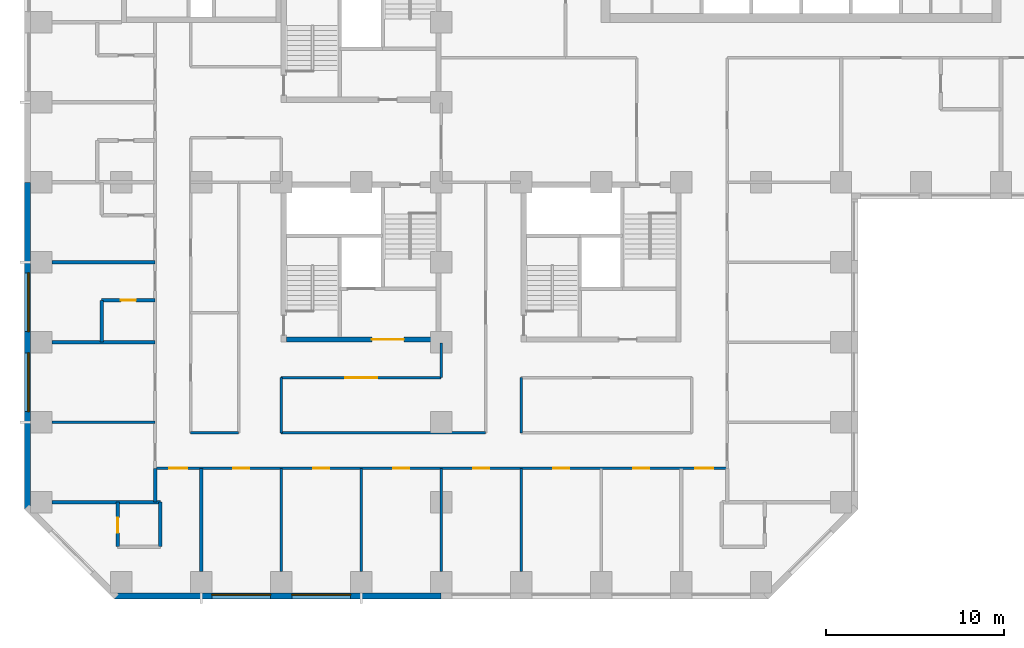
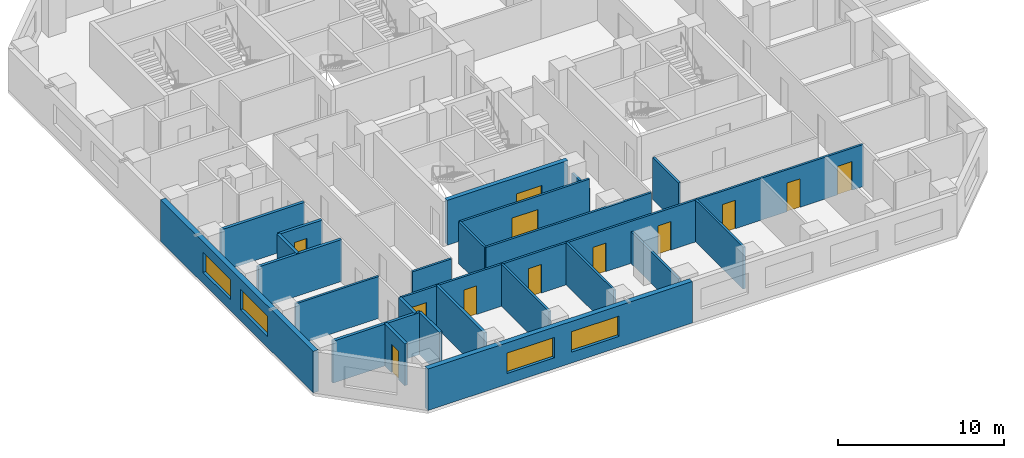
# One storey, part 2 of 13: 24 walls, 12 doors, 4 windows, 16 openings.
"""IFC4 building model written with IfcOpenShell, lengths in metres."""

from ifc_helpers import new_model, si_unit, direction, frame, frame_2d, origin, place, context, subcontext, project, spatial, rectangle, extrude, material, layer, layer_set, constituent, constituent_set, type_object, element, fill, save


model = new_model("IFC4")

# Units and contexts
model_context = context("Model", 3, precision=1e-05, world=origin(), true_north=direction((0.0, 1.0)))
body_context = subcontext(model_context, "Body", "Model", "MODEL_VIEW")
ifc_project = project(units=[si_unit("LENGTHUNIT", "METRE"), si_unit("AREAUNIT", "SQUARE_METRE"), si_unit("VOLUMEUNIT", "CUBIC_METRE"), si_unit("PLANEANGLEUNIT", "RADIAN"), si_unit("MASSUNIT", "GRAM", prefix="KILO")], contexts=[model_context])

# Site, building, storey
site_placement = place(None, origin())
site = spatial("IfcSite", under=ifc_project, at=site_placement, CompositionType="ELEMENT")
building_placement = place(site_placement, origin())
building = spatial("IfcBuilding", under=site, at=building_placement, Name="Quoin Convention Tower", CompositionType="ELEMENT")
storey_placement = place(building_placement, frame((0.0, 0.0, 23.10009765625)))
storey = spatial("IfcBuildingStorey", under=building, at=storey_placement, Name="L04", CompositionType="ELEMENT", Elevation=23.10009765625)

# Wall, openings, windows
ifc_material_1 = material(Name="Brick masonry", Category="masonry")
ifc_layer_1 = layer(ifc_material_1, 0.35009765625)
ifc_layer_set_1 = layer_set([ifc_layer_1], Name="Brick masonry")
wall_type_1 = type_object("IfcWallType", Name="Brick facade wall", PredefinedType="STANDARD", material=ifc_layer_set_1)
wall_1_placement = place(storey_placement, frame((17.6064453125, 17.22509765625, 0.0), z_axis=(0.0, 0.0, 1.0), x_axis=(1.0, 0.0, 0.0)))
wall_1 = element("IfcWall", 1, at=wall_1_placement, inside=storey, type_object=wall_type_1, Name="fw-L04-18000_18000", PredefinedType="STANDARD", context=body_context, shape_type="SweptSolid", body=[
    extrude(rectangle(XDim=18.3935546875, YDim=0.35009765625, at=frame_2d((9.19677734375, 0.0))), origin(), (0.0, 0.0, 1.0), 3.054931640625),
])
opening_1_placement = place(wall_1_placement, frame((5.493408203125, 0.0, 0.800048828125)))
opening_1 = element("IfcOpeningElement", 2, at=opening_1_placement, cuts=wall_1, Name="Opening W-01", PredefinedType="OPENING", context=body_context, shape_type="SweptSolid", body=[
    extrude(rectangle(XDim=3.300048828125, YDim=1.5, at=frame_2d((1.64990234375, 0.75))), frame((0.0, 0.18505859375, 0.0), z_axis=(0.0, -1.0, 0.0), x_axis=(1.0, 0.0, 0.0)), (0.0, 0.0, 1.0), 0.3701171875),
])
opening_2_placement = place(wall_1_placement, frame((9.993408203125, 0.0, 0.800048828125)))
opening_2 = element("IfcOpeningElement", 3, at=opening_2_placement, cuts=wall_1, Name="Opening W-01", PredefinedType="OPENING", context=body_context, shape_type="SweptSolid", body=[
    extrude(rectangle(XDim=3.300048828125, YDim=1.5, at=frame_2d((1.64990234375, 0.75))), frame((0.0, 0.18505859375, 0.0), z_axis=(0.0, -1.0, 0.0), x_axis=(1.0, 0.0, 0.0)), (0.0, 0.0, 1.0), 0.3701171875),
])
ifc_material_2 = material(Name="Aluminium", Category="aluminium")
ifc_constituent_1 = constituent(ifc_material_2, Name="Frame")
ifc_material_3 = material(Name="Insulated glass", Category="glass")
ifc_constituent_2 = constituent(ifc_material_3, Name="Glazing")
ifc_constituent_set = constituent_set(constituents=[ifc_constituent_1, ifc_constituent_2], Name="Aluminium")
window_type = type_object("IfcWindowType", Name="Hotel strip window", PartitioningType="DOUBLE_PANEL_VERTICAL", PredefinedType="WINDOW", material=ifc_constituent_set)
window_1_placement = place(opening_1_placement, origin())
window_1 = element("IfcWindow", 4, at=window_1_placement, inside=storey, type_object=window_type, Name="win-L04-24750_17225", OverallHeight=1.5, OverallWidth=3.300048828125, PartitioningType="SINGLE_PANEL", PredefinedType="WINDOW", context=body_context, shape_type="SweptSolid", body=[
    extrude(rectangle(XDim=3.300048828125, YDim=1.5, at=frame_2d((1.64990234375, 0.75))), frame((0.0, 0.0849609375, 0.0), z_axis=(0.0, -1.0, 0.0), x_axis=(1.0, 0.0, 0.0)), (0.0, 0.0, 1.0), 0.06005859375),
])
fill(opening_1, window_1)
window_2_placement = place(opening_2_placement, origin())
window_2 = element("IfcWindow", 5, at=window_2_placement, inside=storey, type_object=window_type, Name="win-L04-29250_17225", OverallHeight=1.5, OverallWidth=3.300048828125, PartitioningType="SINGLE_PANEL", PredefinedType="WINDOW", context=body_context, shape_type="SweptSolid", body=[
    extrude(rectangle(XDim=3.300048828125, YDim=1.5, at=frame_2d((1.64990234375, 0.75))), frame((0.0, 0.0849609375, 0.0), z_axis=(0.0, -1.0, 0.0), x_axis=(1.0, 0.0, 0.0)), (0.0, 0.0, 1.0), 0.06005859375),
])
fill(opening_2, window_2)

wall_2_placement = place(storey_placement, frame((12.72509765625, 40.5, 0.0), z_axis=(0.0, 0.0, 1.0), x_axis=(0.0, -1.0, 0.0)))
wall_2 = element("IfcWall", 6, at=wall_2_placement, inside=storey, type_object=wall_type_1, Name="fw-L04-13500_40500", PredefinedType="STANDARD", context=body_context, shape_type="SweptSolid", body=[
    extrude(rectangle(XDim=18.3935546875, YDim=0.35009765625, at=frame_2d((9.19677734375, 0.0))), origin(), (0.0, 0.0, 1.0), 3.054931640625),
])
opening_3_placement = place(wall_2_placement, frame((5.10009765625, 0.0, 0.800048828125)))
opening_3 = element("IfcOpeningElement", 7, at=opening_3_placement, cuts=wall_2, Name="Opening W-01", PredefinedType="OPENING", context=body_context, shape_type="SweptSolid", body=[
    extrude(rectangle(XDim=3.300048828125, YDim=1.5, at=frame_2d((1.64990234375, 0.75))), frame((0.0, 0.18505859375, 0.0), z_axis=(0.0, -1.0, 0.0), x_axis=(1.0, 0.0, 0.0)), (0.0, 0.0, 1.0), 0.3701171875),
])
opening_4_placement = place(wall_2_placement, frame((9.60009765625, 0.0, 0.800048828125)))
opening_4 = element("IfcOpeningElement", 8, at=opening_4_placement, cuts=wall_2, Name="Opening W-01", PredefinedType="OPENING", context=body_context, shape_type="SweptSolid", body=[
    extrude(rectangle(XDim=3.300048828125, YDim=1.5, at=frame_2d((1.64990234375, 0.75))), frame((0.0, 0.18505859375, 0.0), z_axis=(0.0, -1.0, 0.0), x_axis=(1.0, 0.0, 0.0)), (0.0, 0.0, 1.0), 0.3701171875),
])
window_3_placement = place(opening_3_placement, origin())
window_3 = element("IfcWindow", 9, at=window_3_placement, inside=storey, type_object=window_type, Name="win-L04-12725_33750", OverallHeight=1.5, OverallWidth=3.300048828125, PartitioningType="SINGLE_PANEL", PredefinedType="WINDOW", context=body_context, shape_type="SweptSolid", body=[
    extrude(rectangle(XDim=3.300048828125, YDim=1.5, at=frame_2d((1.64990234375, 0.75))), frame((0.0, 0.0849609375, 0.0), z_axis=(0.0, -1.0, 0.0), x_axis=(1.0, 0.0, 0.0)), (0.0, 0.0, 1.0), 0.06005859375),
])
fill(opening_3, window_3)
window_4_placement = place(opening_4_placement, origin())
window_4 = element("IfcWindow", 10, at=window_4_placement, inside=storey, type_object=window_type, Name="win-L04-12725_29250", OverallHeight=1.5, OverallWidth=3.300048828125, PartitioningType="SINGLE_PANEL", PredefinedType="WINDOW", context=body_context, shape_type="SweptSolid", body=[
    extrude(rectangle(XDim=3.300048828125, YDim=1.5, at=frame_2d((1.64990234375, 0.75))), frame((0.0, 0.0849609375, 0.0), z_axis=(0.0, -1.0, 0.0), x_axis=(1.0, 0.0, 0.0)), (0.0, 0.0, 1.0), 0.06005859375),
])
fill(opening_4, window_4)

# Wall, opening, door
ifc_material_4 = material(Name="Concrete C80", Category="concrete")
ifc_layer_2 = layer(ifc_material_4, 0.300048828125)
ifc_layer_set_2 = layer_set([ifc_layer_2], Name="Concrete C80")
wall_type_2 = type_object("IfcWallType", Name="RC CORE WALL 300 C80", PredefinedType="SHEAR", material=ifc_layer_set_2)
wall_3_placement = place(storey_placement, frame((27.300048828125, 31.64990234375, 0.0), z_axis=(0.0, 0.0, 1.0), x_axis=(1.0, 0.0, 0.0)))
wall_3 = element("IfcWall", 11, at=wall_3_placement, inside=storey, type_object=wall_type_2, Name="cwl-P4-L04-S", PredefinedType="SHEAR", context=body_context, shape_type="SweptSolid", body=[
    extrude(rectangle(XDim=8.39990234375, YDim=0.300048828125, at=frame_2d((4.199951171875, 0.0))), origin(), (0.0, 0.0, 1.0), 3.2998046875),
])
opening_5_placement = place(wall_3_placement, frame((4.800048828125, 0.0, 0.0)))
opening_5 = element("IfcOpeningElement", 12, at=opening_5_placement, cuts=wall_3, Name="Opening DCV2-43", PredefinedType="OPENING", context=body_context, shape_type="SweptSolid", body=[
    extrude(rectangle(XDim=1.800048828125, YDim=2.10009765625, at=frame_2d((0.89990234375, 1.050048828125))), frame((0.0, 0.159912109375, 0.0), z_axis=(0.0, -1.0, 0.0), x_axis=(1.0, 0.0, 0.0)), (0.0, 0.0, 1.0), 0.320068359375),
])
ifc_material_5 = material(Name="Steel door leaf", Category="steel")
door_type_1 = type_object("IfcDoorType", Name="Goods lobby door 1800 x 2100", OperationType="SINGLE_SWING_LEFT", PredefinedType="DOOR", material=ifc_material_5)
door_1_placement = place(opening_5_placement, origin())
door_1 = element("IfcDoor", 13, at=door_1_placement, inside=storey, type_object=door_type_1, Name="cd-P4-L04-R2-S", OperationType="SINGLE_SWING_LEFT", OverallHeight=2.10009765625, OverallWidth=1.800048828125, PredefinedType="DOOR", context=body_context, shape_type="SweptSolid", body=[
    extrude(rectangle(XDim=1.800048828125, YDim=2.10009765625, at=frame_2d((0.89990234375, 1.050048828125))), frame((0.0, 0.02490234375, 0.0), z_axis=(0.0, -1.0, 0.0), x_axis=(1.0, 0.0, 0.0)), (0.0, 0.0, 1.0), 0.050048828125),
])
fill(opening_5, door_1)

# Wall
ifc_material_6 = material(Name="Concrete C50", Category="concrete")
ifc_layer_3 = layer(ifc_material_6, 0.199951171875)
ifc_layer_set_3 = layer_set([ifc_layer_3], Name="Concrete C50")
wall_type_3 = type_object("IfcWallType", Name="RC party wall", PredefinedType="SOLIDWALL", material=ifc_layer_set_3)
wall_4_placement = place(storey_placement, frame((22.5, 18.60009765625, 0.0), z_axis=(0.0, 0.0, 1.0), x_axis=(0.0, 1.0, 0.0)))
element("IfcWall", 14, at=wall_4_placement, inside=storey, type_object=wall_type_3, Name="pw-L04-038", PredefinedType="SOLIDWALL", context=body_context, shape_type="SweptSolid", body=[
    extrude(rectangle(XDim=5.7998046875, YDim=0.199951171875, at=frame_2d((2.89990234375, 0.0))), origin(), (0.0, 0.0, 1.0), 3.079833984375),
])

# Wall, opening, door
wall_5_placement = place(storey_placement, frame((17.800048828125, 20.0, 0.0), z_axis=(0.0, 0.0, 1.0), x_axis=(0.0, 1.0, 0.0)))
wall_5 = element("IfcWall", 15, at=wall_5_placement, inside=storey, type_object=wall_type_3, Name="pw-L04-041", PredefinedType="SOLIDWALL", context=body_context, shape_type="SweptSolid", body=[
    extrude(rectangle(XDim=2.5, YDim=0.199951171875, at=frame_2d((1.25, 0.0))), origin(), (0.0, 0.0, 1.0), 3.079833984375),
])
opening_6_placement = place(wall_5_placement, frame((0.77490234375, 0.0, 0.0)))
opening_6 = element("IfcOpeningElement", 16, at=opening_6_placement, cuts=wall_5, Name="Opening DHOTEL-M-49", PredefinedType="OPENING", context=body_context, shape_type="SweptSolid", body=[
    extrude(rectangle(XDim=0.85009765625, YDim=2.10009765625, at=frame_2d((0.425048828125, 1.050048828125))), frame((0.0, 0.10986328125, 0.0), z_axis=(0.0, -1.0, 0.0), x_axis=(1.0, 0.0, 0.0)), (0.0, 0.0, 1.0), 0.219970703125),
])
door_type_2 = type_object("IfcDoorType", Name="Bathroom door", OperationType="SINGLE_SWING_LEFT", PredefinedType="DOOR", material=ifc_material_5)
door_2_placement = place(opening_6_placement, origin())
door_2 = element("IfcDoor", 17, at=door_2_placement, inside=storey, type_object=door_type_2, Name="dr-L04-062", OperationType="SINGLE_SWING_RIGHT", OverallHeight=2.10009765625, OverallWidth=0.85009765625, PredefinedType="DOOR", context=body_context, shape_type="SweptSolid", body=[
    extrude(rectangle(XDim=0.85009765625, YDim=2.10009765625, at=frame_2d((0.425048828125, 1.050048828125))), frame((0.0, 0.02490234375, 0.0), z_axis=(0.0, -1.0, 0.0), x_axis=(1.0, 0.0, 0.0)), (0.0, 0.0, 1.0), 0.050048828125),
])
fill(opening_6, door_2)

# Walls
wall_6_placement = place(storey_placement, frame((20.199951171875, 20.0, 0.0), z_axis=(0.0, 0.0, 1.0), x_axis=(0.0, 1.0, 0.0)))
element("IfcWall", 18, at=wall_6_placement, inside=storey, type_object=wall_type_3, Name="pw-L04-042", PredefinedType="SOLIDWALL", context=body_context, shape_type="SweptSolid", body=[
    extrude(rectangle(XDim=2.5, YDim=0.199951171875, at=frame_2d((1.25, 0.0))), origin(), (0.0, 0.0, 1.0), 3.079833984375),
])
wall_7_placement = place(storey_placement, frame((14.10009765625, 22.5, 0.0), z_axis=(0.0, 0.0, 1.0), x_axis=(1.0, 0.0, 0.0)))
element("IfcWall", 19, at=wall_7_placement, inside=storey, type_object=wall_type_3, Name="pw-L04-046", PredefinedType="SOLIDWALL", context=body_context, shape_type="SweptSolid", body=[
    extrude(rectangle(XDim=6.099853515625, YDim=0.199951171875, at=frame_2d((3.0498046875, 0.0))), origin(), (0.0, 0.0, 1.0), 3.079833984375),
])
wall_8_placement = place(storey_placement, frame((19.89990234375, 22.5, 0.0), z_axis=(0.0, 0.0, 1.0), x_axis=(0.0, 1.0, 0.0)))
element("IfcWall", 20, at=wall_8_placement, inside=storey, type_object=wall_type_3, Name="pw-L04-047", PredefinedType="SOLIDWALL", context=body_context, shape_type="SweptSolid", body=[
    extrude(rectangle(XDim=1.89990234375, YDim=0.199951171875, at=frame_2d((0.949951171875, 0.0))), origin(), (0.0, 0.0, 1.0), 3.079833984375),
])
wall_9_placement = place(storey_placement, frame((14.10009765625, 31.5, 0.0), z_axis=(0.0, 0.0, 1.0), x_axis=(1.0, 0.0, 0.0)))
element("IfcWall", 21, at=wall_9_placement, inside=storey, type_object=wall_type_3, Name="pw-L04-050", PredefinedType="SOLIDWALL", context=body_context, shape_type="SweptSolid", body=[
    extrude(rectangle(XDim=5.7998046875, YDim=0.199951171875, at=frame_2d((2.89990234375, 0.0))), origin(), (0.0, 0.0, 1.0), 3.079833984375),
])
wall_10_placement = place(storey_placement, frame((16.89990234375, 31.5, 0.0), z_axis=(0.0, 0.0, 1.0), x_axis=(0.0, 1.0, 0.0)))
element("IfcWall", 22, at=wall_10_placement, inside=storey, type_object=wall_type_3, Name="pw-L04-051", PredefinedType="SOLIDWALL", context=body_context, shape_type="SweptSolid", body=[
    extrude(rectangle(XDim=2.35009765625, YDim=0.199951171875, at=frame_2d((1.175048828125, 0.0))), origin(), (0.0, 0.0, 1.0), 3.079833984375),
])

# Wall, opening, door
wall_11_placement = place(storey_placement, frame((16.89990234375, 33.85009765625, 0.0), z_axis=(0.0, 0.0, 1.0), x_axis=(1.0, 0.0, 0.0)))
wall_11 = element("IfcWall", 23, at=wall_11_placement, inside=storey, type_object=wall_type_3, Name="pw-L04-052", PredefinedType="SOLIDWALL", context=body_context, shape_type="SweptSolid", body=[
    extrude(rectangle(XDim=3.0, YDim=0.199951171875, at=frame_2d((1.5, 0.0))), origin(), (0.0, 0.0, 1.0), 3.079833984375),
])
opening_7_placement = place(wall_11_placement, frame((1.074951171875, 0.0, 0.0)))
opening_7 = element("IfcOpeningElement", 24, at=opening_7_placement, cuts=wall_11, Name="Opening DHOTEL-M-51", PredefinedType="OPENING", context=body_context, shape_type="SweptSolid", body=[
    extrude(rectangle(XDim=0.85009765625, YDim=2.10009765625, at=frame_2d((0.425048828125, 1.050048828125))), frame((0.0, 0.10986328125, 0.0), z_axis=(0.0, -1.0, 0.0), x_axis=(1.0, 0.0, 0.0)), (0.0, 0.0, 1.0), 0.219970703125),
])
door_3_placement = place(opening_7_placement, origin())
door_3 = element("IfcDoor", 25, at=door_3_placement, inside=storey, type_object=door_type_2, Name="dr-L04-010", OperationType="SINGLE_SWING_RIGHT", OverallHeight=2.10009765625, OverallWidth=0.85009765625, PredefinedType="DOOR", context=body_context, shape_type="SweptSolid", body=[
    extrude(rectangle(XDim=0.85009765625, YDim=2.10009765625, at=frame_2d((0.425048828125, 1.050048828125))), frame((0.0, 0.02490234375, 0.0), z_axis=(0.0, -1.0, 0.0), x_axis=(1.0, 0.0, 0.0)), (0.0, 0.0, 1.0), 0.050048828125),
])
fill(opening_7, door_3)

# Wall
wall_12_placement = place(storey_placement, frame((14.10009765625, 36.0, 0.0), z_axis=(0.0, 0.0, 1.0), x_axis=(1.0, 0.0, 0.0)))
element("IfcWall", 26, at=wall_12_placement, inside=storey, type_object=wall_type_3, Name="pw-L04-053", PredefinedType="SOLIDWALL", context=body_context, shape_type="SweptSolid", body=[
    extrude(rectangle(XDim=5.7998046875, YDim=0.199951171875, at=frame_2d((2.89990234375, 0.0))), origin(), (0.0, 0.0, 1.0), 3.079833984375),
])

# Wall, openings, doors
ifc_material_7 = material(Name="Plasterboard")
ifc_layer_4 = layer(ifc_material_7, 0.012451171875, Name="Finish")
ifc_material_8 = material(Name="Steel stud framing", Category="steel")
ifc_layer_5 = layer(ifc_material_8, 0.125, Name="Structure")
ifc_layer_6 = layer(ifc_material_7, 0.012451171875, Name="Finish")
ifc_layer_set_4 = layer_set([ifc_layer_4, ifc_layer_5, ifc_layer_6], Name="Steel stud framing")
wall_type_4 = type_object("IfcWallType", Name="corridor partition", PredefinedType="PARTITIONING", material=ifc_layer_set_4)
wall_13_placement = place(storey_placement, frame((19.89990234375, 24.39990234375, 0.0), z_axis=(0.0, 0.0, 1.0), x_axis=(1.0, 0.0, 0.0)))
wall_13 = element("IfcWall", 27, at=wall_13_placement, inside=storey, type_object=wall_type_4, Name="pw-L04-004", PredefinedType="PARTITIONING", context=body_context, shape_type="SweptSolid", body=[
    extrude(rectangle(XDim=32.2001953125, YDim=0.14990234375, at=frame_2d((16.10009765625, 0.0))), origin(), (0.0, 0.0, 1.0), 3.079833984375),
])
opening_8_placement = place(wall_13_placement, frame((4.39990234375, 0.0, 0.0)))
opening_8 = element("IfcOpeningElement", 28, at=opening_8_placement, cuts=wall_13, Name="Opening DHOTEL-M-02", PredefinedType="OPENING", context=body_context, shape_type="SweptSolid", body=[
    extrude(rectangle(XDim=0.89990234375, YDim=2.10009765625, at=frame_2d((0.449951171875, 1.050048828125))), frame((0.0, 0.0849609375, 0.0), z_axis=(0.0, -1.0, 0.0), x_axis=(1.0, 0.0, 0.0)), (0.0, 0.0, 1.0), 0.169921875),
])
opening_9_placement = place(wall_13_placement, frame((8.89990234375, 0.0, 0.0)))
opening_9 = element("IfcOpeningElement", 29, at=opening_9_placement, cuts=wall_13, Name="Opening DHOTEL-M-03", PredefinedType="OPENING", context=body_context, shape_type="SweptSolid", body=[
    extrude(rectangle(XDim=0.89990234375, YDim=2.10009765625, at=frame_2d((0.449951171875, 1.050048828125))), frame((0.0, 0.0849609375, 0.0), z_axis=(0.0, -1.0, 0.0), x_axis=(1.0, 0.0, 0.0)), (0.0, 0.0, 1.0), 0.169921875),
])
opening_10_placement = place(wall_13_placement, frame((13.39990234375, 0.0, 0.0)))
opening_10 = element("IfcOpeningElement", 30, at=opening_10_placement, cuts=wall_13, Name="Opening DHOTEL-M-04", PredefinedType="OPENING", context=body_context, shape_type="SweptSolid", body=[
    extrude(rectangle(XDim=0.89990234375, YDim=2.10009765625, at=frame_2d((0.449951171875, 1.050048828125))), frame((0.0, 0.0849609375, 0.0), z_axis=(0.0, -1.0, 0.0), x_axis=(1.0, 0.0, 0.0)), (0.0, 0.0, 1.0), 0.169921875),
])
opening_11_placement = place(wall_13_placement, frame((17.89990234375, 0.0, 0.0)))
opening_11 = element("IfcOpeningElement", 31, at=opening_11_placement, cuts=wall_13, Name="Opening DHOTEL-M-05", PredefinedType="OPENING", context=body_context, shape_type="SweptSolid", body=[
    extrude(rectangle(XDim=0.89990234375, YDim=2.10009765625, at=frame_2d((0.449951171875, 1.050048828125))), frame((0.0, 0.0849609375, 0.0), z_axis=(0.0, -1.0, 0.0), x_axis=(1.0, 0.0, 0.0)), (0.0, 0.0, 1.0), 0.169921875),
])
opening_12_placement = place(wall_13_placement, frame((22.39990234375, 0.0, 0.0)))
opening_12 = element("IfcOpeningElement", 32, at=opening_12_placement, cuts=wall_13, Name="Opening DHOTEL-M-06", PredefinedType="OPENING", context=body_context, shape_type="SweptSolid", body=[
    extrude(rectangle(XDim=0.89990234375, YDim=2.10009765625, at=frame_2d((0.449951171875, 1.050048828125))), frame((0.0, 0.0849609375, 0.0), z_axis=(0.0, -1.0, 0.0), x_axis=(1.0, 0.0, 0.0)), (0.0, 0.0, 1.0), 0.169921875),
])
opening_13_placement = place(wall_13_placement, frame((26.89990234375, 0.0, 0.0)))
opening_13 = element("IfcOpeningElement", 33, at=opening_13_placement, cuts=wall_13, Name="Opening DHOTEL-M-07", PredefinedType="OPENING", context=body_context, shape_type="SweptSolid", body=[
    extrude(rectangle(XDim=0.89990234375, YDim=2.10009765625, at=frame_2d((0.449951171875, 1.050048828125))), frame((0.0, 0.0849609375, 0.0), z_axis=(0.0, -1.0, 0.0), x_axis=(1.0, 0.0, 0.0)), (0.0, 0.0, 1.0), 0.169921875),
])
opening_14_placement = place(wall_13_placement, frame((0.800048828125, 0.0, 0.0)))
opening_14 = element("IfcOpeningElement", 34, at=opening_14_placement, cuts=wall_13, Name="Opening DHOTEL-M-01", PredefinedType="OPENING", context=body_context, shape_type="SweptSolid", body=[
    extrude(rectangle(XDim=1.0, YDim=2.10009765625, at=frame_2d((0.5, 1.050048828125))), frame((0.0, 0.0849609375, 0.0), z_axis=(0.0, -1.0, 0.0), x_axis=(1.0, 0.0, 0.0)), (0.0, 0.0, 1.0), 0.169921875),
])
opening_15_placement = place(wall_13_placement, frame((30.39990234375, 0.0, 0.0)))
opening_15 = element("IfcOpeningElement", 35, at=opening_15_placement, cuts=wall_13, Name="Opening DHOTEL-M-08", PredefinedType="OPENING", context=body_context, shape_type="SweptSolid", body=[
    extrude(rectangle(XDim=1.0, YDim=2.10009765625, at=frame_2d((0.5, 1.050048828125))), frame((0.0, 0.0849609375, 0.0), z_axis=(0.0, -1.0, 0.0), x_axis=(1.0, 0.0, 0.0)), (0.0, 0.0, 1.0), 0.169921875),
])
door_type_3 = type_object("IfcDoorType", Name="Hotel room door", OperationType="SINGLE_SWING_LEFT", PredefinedType="DOOR", material=ifc_material_5)
door_4_placement = place(opening_14_placement, frame((1.0, 0.0, 0.0), z_axis=(0.0, 0.0, 1.0), x_axis=(-1.0, 0.0, 0.0)))
door_4 = element("IfcDoor", 36, at=door_4_placement, inside=storey, type_object=door_type_3, Name="dr-L04-061", OperationType="SINGLE_SWING_LEFT", OverallHeight=2.10009765625, OverallWidth=1.0, PredefinedType="DOOR", context=body_context, shape_type="SweptSolid", body=[
    extrude(rectangle(XDim=1.0, YDim=2.10009765625, at=frame_2d((0.5, 1.050048828125))), frame((0.0, 0.02490234375, 0.0), z_axis=(0.0, -1.0, 0.0), x_axis=(1.0, 0.0, 0.0)), (0.0, 0.0, 1.0), 0.050048828125),
])
fill(opening_14, door_4)
door_5_placement = place(opening_15_placement, frame((1.0, 0.0, 0.0), z_axis=(0.0, 0.0, 1.0), x_axis=(-1.0, 0.0, 0.0)))
door_5 = element("IfcDoor", 37, at=door_5_placement, inside=storey, type_object=door_type_3, Name="dr-L04-063", OperationType="SINGLE_SWING_LEFT", OverallHeight=2.10009765625, OverallWidth=1.0, PredefinedType="DOOR", context=body_context, shape_type="SweptSolid", body=[
    extrude(rectangle(XDim=1.0, YDim=2.10009765625, at=frame_2d((0.5, 1.050048828125))), frame((0.0, 0.02490234375, 0.0), z_axis=(0.0, -1.0, 0.0), x_axis=(1.0, 0.0, 0.0)), (0.0, 0.0, 1.0), 0.050048828125),
])
fill(opening_15, door_5)
door_type_4 = type_object("IfcDoorType", Name="Service room door", OperationType="SINGLE_SWING_LEFT", PredefinedType="DOOR", material=ifc_material_5)
door_6_placement = place(opening_8_placement, frame((0.89990234375, 0.0, 0.0), z_axis=(0.0, 0.0, 1.0), x_axis=(-1.0, 0.0, 0.0)))
door_6 = element("IfcDoor", 38, at=door_6_placement, inside=storey, type_object=door_type_4, Name="dr-L04-001", OperationType="SINGLE_SWING_LEFT", OverallHeight=2.10009765625, OverallWidth=0.89990234375, PredefinedType="DOOR", context=body_context, shape_type="SweptSolid", body=[
    extrude(rectangle(XDim=0.89990234375, YDim=2.10009765625, at=frame_2d((0.449951171875, 1.050048828125))), frame((0.0, 0.02490234375, 0.0), z_axis=(0.0, -1.0, 0.0), x_axis=(1.0, 0.0, 0.0)), (0.0, 0.0, 1.0), 0.050048828125),
])
fill(opening_8, door_6)
door_7_placement = place(opening_9_placement, frame((0.89990234375, 0.0, 0.0), z_axis=(0.0, 0.0, 1.0), x_axis=(-1.0, 0.0, 0.0)))
door_7 = element("IfcDoor", 39, at=door_7_placement, inside=storey, type_object=door_type_4, Name="dr-L04-002", OperationType="SINGLE_SWING_LEFT", OverallHeight=2.10009765625, OverallWidth=0.89990234375, PredefinedType="DOOR", context=body_context, shape_type="SweptSolid", body=[
    extrude(rectangle(XDim=0.89990234375, YDim=2.10009765625, at=frame_2d((0.449951171875, 1.050048828125))), frame((0.0, 0.02490234375, 0.0), z_axis=(0.0, -1.0, 0.0), x_axis=(1.0, 0.0, 0.0)), (0.0, 0.0, 1.0), 0.050048828125),
])
fill(opening_9, door_7)
door_8_placement = place(opening_10_placement, frame((0.89990234375, 0.0, 0.0), z_axis=(0.0, 0.0, 1.0), x_axis=(-1.0, 0.0, 0.0)))
door_8 = element("IfcDoor", 40, at=door_8_placement, inside=storey, type_object=door_type_4, Name="dr-L04-003", OperationType="SINGLE_SWING_LEFT", OverallHeight=2.10009765625, OverallWidth=0.89990234375, PredefinedType="DOOR", context=body_context, shape_type="SweptSolid", body=[
    extrude(rectangle(XDim=0.89990234375, YDim=2.10009765625, at=frame_2d((0.449951171875, 1.050048828125))), frame((0.0, 0.02490234375, 0.0), z_axis=(0.0, -1.0, 0.0), x_axis=(1.0, 0.0, 0.0)), (0.0, 0.0, 1.0), 0.050048828125),
])
fill(opening_10, door_8)
door_9_placement = place(opening_11_placement, frame((0.89990234375, 0.0, 0.0), z_axis=(0.0, 0.0, 1.0), x_axis=(-1.0, 0.0, 0.0)))
door_9 = element("IfcDoor", 41, at=door_9_placement, inside=storey, type_object=door_type_4, Name="dr-L04-004", OperationType="SINGLE_SWING_LEFT", OverallHeight=2.10009765625, OverallWidth=0.89990234375, PredefinedType="DOOR", context=body_context, shape_type="SweptSolid", body=[
    extrude(rectangle(XDim=0.89990234375, YDim=2.10009765625, at=frame_2d((0.449951171875, 1.050048828125))), frame((0.0, 0.02490234375, 0.0), z_axis=(0.0, -1.0, 0.0), x_axis=(1.0, 0.0, 0.0)), (0.0, 0.0, 1.0), 0.050048828125),
])
fill(opening_11, door_9)
door_10_placement = place(opening_12_placement, frame((0.89990234375, 0.0, 0.0), z_axis=(0.0, 0.0, 1.0), x_axis=(-1.0, 0.0, 0.0)))
door_10 = element("IfcDoor", 42, at=door_10_placement, inside=storey, type_object=door_type_4, Name="dr-L04-005", OperationType="SINGLE_SWING_LEFT", OverallHeight=2.10009765625, OverallWidth=0.89990234375, PredefinedType="DOOR", context=body_context, shape_type="SweptSolid", body=[
    extrude(rectangle(XDim=0.89990234375, YDim=2.10009765625, at=frame_2d((0.449951171875, 1.050048828125))), frame((0.0, 0.02490234375, 0.0), z_axis=(0.0, -1.0, 0.0), x_axis=(1.0, 0.0, 0.0)), (0.0, 0.0, 1.0), 0.050048828125),
])
fill(opening_12, door_10)
door_11_placement = place(opening_13_placement, frame((0.89990234375, 0.0, 0.0), z_axis=(0.0, 0.0, 1.0), x_axis=(-1.0, 0.0, 0.0)))
door_11 = element("IfcDoor", 43, at=door_11_placement, inside=storey, type_object=door_type_4, Name="dr-L04-006", OperationType="SINGLE_SWING_LEFT", OverallHeight=2.10009765625, OverallWidth=0.89990234375, PredefinedType="DOOR", context=body_context, shape_type="SweptSolid", body=[
    extrude(rectangle(XDim=0.89990234375, YDim=2.10009765625, at=frame_2d((0.449951171875, 1.050048828125))), frame((0.0, 0.02490234375, 0.0), z_axis=(0.0, -1.0, 0.0), x_axis=(1.0, 0.0, 0.0)), (0.0, 0.0, 1.0), 0.050048828125),
])
fill(opening_13, door_11)

# Walls
wall_14_placement = place(storey_placement, frame((21.89990234375, 26.39990234375, 0.0), z_axis=(0.0, 0.0, 1.0), x_axis=(1.0, 0.0, 0.0)))
element("IfcWall", 44, at=wall_14_placement, inside=storey, type_object=wall_type_4, Name="pw-L04-007", PredefinedType="PARTITIONING", context=body_context, shape_type="SweptSolid", body=[
    extrude(rectangle(XDim=2.7001953125, YDim=0.14990234375, at=frame_2d((1.35009765625, 0.0))), origin(), (0.0, 0.0, 1.0), 3.079833984375),
])
wall_15_placement = place(storey_placement, frame((27.0, 26.39990234375, 0.0), z_axis=(0.0, 0.0, 1.0), x_axis=(1.0, 0.0, 0.0)))
element("IfcWall", 45, at=wall_15_placement, inside=storey, type_object=wall_type_4, Name="pw-L04-010", PredefinedType="PARTITIONING", context=body_context, shape_type="SweptSolid", body=[
    extrude(rectangle(XDim=11.5, YDim=0.14990234375, at=frame_2d((5.75, 0.0))), origin(), (0.0, 0.0, 1.0), 3.079833984375),
])
for number, where, z_axis, x_axis, name in (
    (46, (27.0, 26.39990234375, 0.0), (0.0, 0.0, 1.0), (0.0, 1.0, 0.0), "pw-L04-011"),
    (47, (40.5, 26.39990234375, 0.0), (0.0, 0.0, 1.0), (0.0, 1.0, 0.0), "pw-L04-014"),
):
    element("IfcWall", number, at=place(storey_placement, frame(where, z_axis=z_axis, x_axis=x_axis)), inside=storey, type_object=wall_type_4, Name=name, PredefinedType="PARTITIONING", context=body_context, shape_type="SweptSolid", body=[
        extrude(rectangle(XDim=3.10009765625, YDim=0.14990234375, at=frame_2d((1.550048828125, 0.0))), origin(), (0.0, 0.0, 1.0), 3.079833984375),
    ])

# Wall, opening, door
wall_16_placement = place(storey_placement, frame((27.0, 29.5, 0.0), z_axis=(0.0, 0.0, 1.0), x_axis=(1.0, 0.0, 0.0)))
wall_16 = element("IfcWall", 48, at=wall_16_placement, inside=storey, type_object=wall_type_4, Name="pw-L04-016", PredefinedType="PARTITIONING", context=body_context, shape_type="SweptSolid", body=[
    extrude(rectangle(XDim=9.0, YDim=0.14990234375, at=frame_2d((4.5, 0.0))), origin(), (0.0, 0.0, 1.0), 3.079833984375),
])
opening_16_placement = place(wall_16_placement, frame((3.60009765625, 0.0, 0.0)))
opening_16 = element("IfcOpeningElement", 49, at=opening_16_placement, cuts=wall_16, Name="Opening DHOTEL-M-23", PredefinedType="OPENING", context=body_context, shape_type="SweptSolid", body=[
    extrude(rectangle(XDim=1.800048828125, YDim=2.10009765625, at=frame_2d((0.89990234375, 1.050048828125))), frame((0.0, 0.0849609375, 0.0), z_axis=(0.0, -1.0, 0.0), x_axis=(1.0, 0.0, 0.0)), (0.0, 0.0, 1.0), 0.169921875),
])
door_type_5 = type_object("IfcDoorType", Name="Double meeting room door", OperationType="DOUBLE_DOOR_SINGLE_SWING", PredefinedType="DOOR", material=ifc_material_5)
door_12_placement = place(opening_16_placement, frame((1.800048828125, 0.0, 0.0), z_axis=(0.0, 0.0, 1.0), x_axis=(-1.0, 0.0, 0.0)))
door_12 = element("IfcDoor", 50, at=door_12_placement, inside=storey, type_object=door_type_5, Name="dr-L04-076", OperationType="DOUBLE_DOOR_SINGLE_SWING", OverallHeight=2.10009765625, OverallWidth=1.800048828125, PredefinedType="DOOR", context=body_context, shape_type="SweptSolid", body=[
    extrude(rectangle(XDim=1.800048828125, YDim=2.10009765625, at=frame_2d((0.89990234375, 1.050048828125))), frame((0.0, 0.02490234375, 0.0), z_axis=(0.0, -1.0, 0.0), x_axis=(1.0, 0.0, 0.0)), (0.0, 0.0, 1.0), 0.050048828125),
])
fill(opening_16, door_12)

# Walls
ifc_layer_7 = layer(ifc_material_7, 0.012451171875, Name="Finish")
ifc_layer_8 = layer(ifc_material_8, 0.125, Name="Structure")
ifc_layer_9 = layer(ifc_material_7, 0.012451171875, Name="Finish")
ifc_layer_set_5 = layer_set([ifc_layer_7, ifc_layer_8, ifc_layer_9], Name="Steel stud framing")
wall_type_5 = type_object("IfcWallType", Name="corridor partition under beam 750", PredefinedType="PARTITIONING", material=ifc_layer_set_5)
wall_17_placement = place(storey_placement, frame((36.0, 29.5, 0.0), z_axis=(0.0, 0.0, 1.0), x_axis=(0.0, 1.0, 0.0)))
element("IfcWall", 51, at=wall_17_placement, inside=storey, type_object=wall_type_5, Name="pw-L04-017", PredefinedType="PARTITIONING", context=body_context, shape_type="SweptSolid", body=[
    extrude(rectangle(XDim=1.949951171875, YDim=0.14990234375, at=frame_2d((0.97509765625, 0.0))), origin(), (0.0, 0.0, 1.0), 2.329833984375),
])
ifc_layer_10 = layer(ifc_material_7, 0.012451171875, Name="Finish")
ifc_layer_11 = layer(ifc_material_8, 0.125, Name="Structure")
ifc_layer_12 = layer(ifc_material_7, 0.012451171875, Name="Finish")
ifc_layer_set_6 = layer_set([ifc_layer_10, ifc_layer_11, ifc_layer_12], Name="Steel stud framing")
wall_type_6 = type_object("IfcWallType", Name="room partition", PredefinedType="PARTITIONING", material=ifc_layer_set_6)
for number, where, z_axis, x_axis, name in (
    (52, (27.0, 18.60009765625, 0.0), (0.0, 0.0, 1.0), (0.0, 1.0, 0.0), "pw-L04-140"),
    (53, (31.5, 18.60009765625, 0.0), (0.0, 0.0, 1.0), (0.0, 1.0, 0.0), "pw-L04-141"),
    (54, (40.5, 18.60009765625, 0.0), (0.0, 0.0, 1.0), (0.0, 1.0, 0.0), "pw-L04-143"),
    (55, (14.10009765625, 27.0, 0.0), (0.0, 0.0, 1.0), (1.0, 0.0, 0.0), "pw-L04-149"),
):
    element("IfcWall", number, at=place(storey_placement, frame(where, z_axis=z_axis, x_axis=x_axis)), inside=storey, type_object=wall_type_6, Name=name, PredefinedType="PARTITIONING", context=body_context, shape_type="SweptSolid", body=[
        extrude(rectangle(XDim=5.7998046875, YDim=0.14990234375, at=frame_2d((2.89990234375, 0.0))), origin(), (0.0, 0.0, 1.0), 3.079833984375),
    ])
ifc_layer_13 = layer(ifc_material_7, 0.012451171875, Name="Finish")
ifc_layer_14 = layer(ifc_material_8, 0.125, Name="Structure")
ifc_layer_15 = layer(ifc_material_7, 0.012451171875, Name="Finish")
ifc_layer_set_7 = layer_set([ifc_layer_13, ifc_layer_14, ifc_layer_15], Name="Steel stud framing")
wall_type_7 = type_object("IfcWallType", Name="room partition under beam 750", PredefinedType="PARTITIONING", material=ifc_layer_set_7)
wall_18_placement = place(storey_placement, frame((36.0, 18.60009765625, 0.0), z_axis=(0.0, 0.0, 1.0), x_axis=(0.0, 1.0, 0.0)))
element("IfcWall", 56, at=wall_18_placement, inside=storey, type_object=wall_type_7, Name="pw-L04-142", PredefinedType="PARTITIONING", context=body_context, shape_type="SweptSolid", body=[
    extrude(rectangle(XDim=5.7998046875, YDim=0.14990234375, at=frame_2d((2.89990234375, 0.0))), origin(), (0.0, 0.0, 1.0), 2.329833984375),
])

save(model, "model.ifc")
